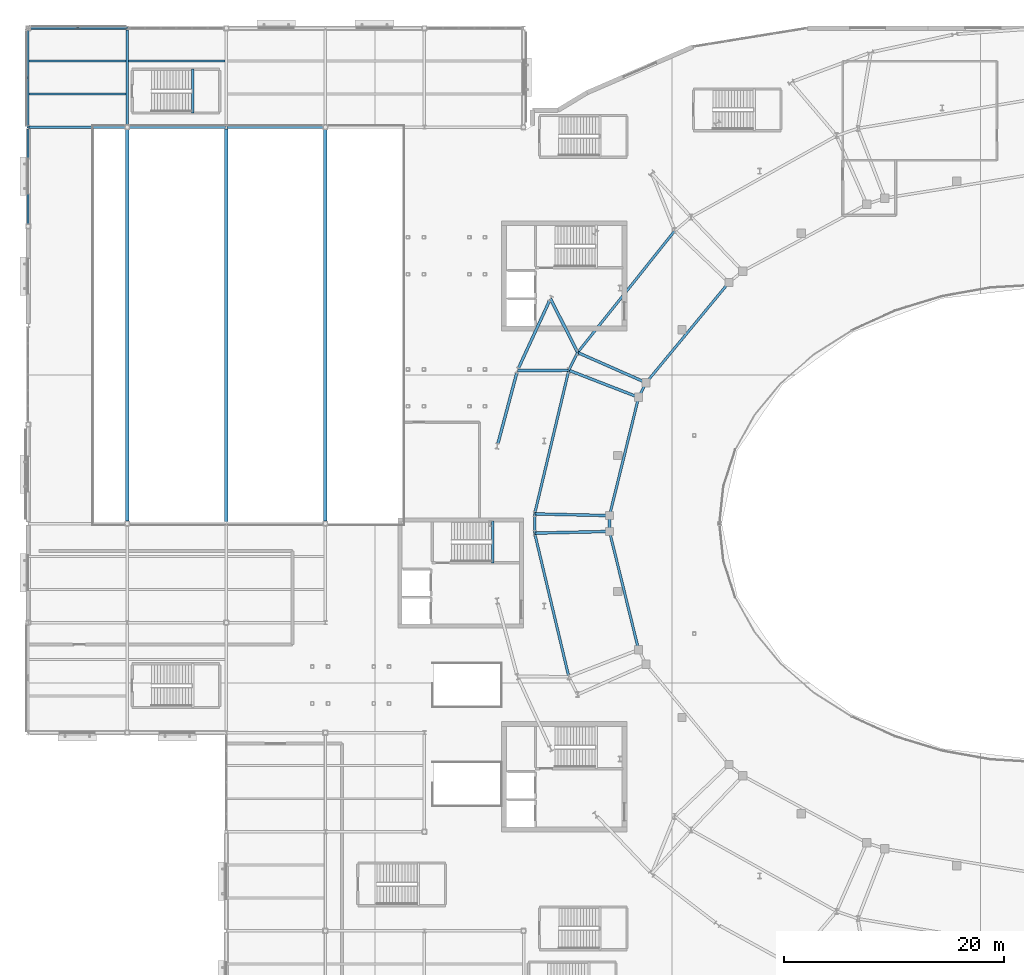
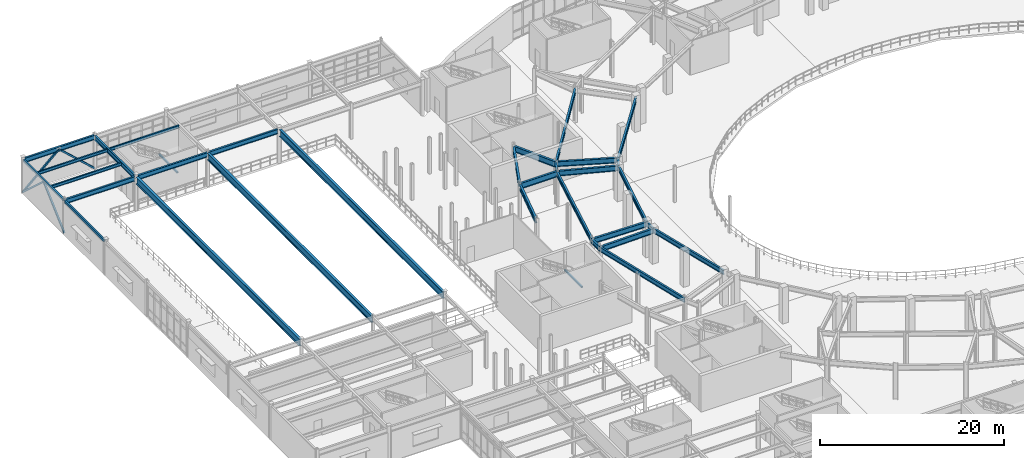
# One storey, part 39 of 86: 33 beams, 4 members.
"""IFC4 building model written with IfcOpenShell, lengths in metres."""

from ifc_helpers import new_model, si_unit, direction, frame, origin, origin_2d, place, context, subcontext, project, spatial, hollow_rectangle, i_section, extrude, material, material_profile, profile_set, type_object, element, save


model = new_model("IFC4")

# Units and contexts
model_context = context("Model", 3, precision=1e-05, world=origin(), true_north=direction((0.0, 1.0)))
body_context = subcontext(model_context, "Body", "Model", "MODEL_VIEW")
ifc_project = project(units=[si_unit("LENGTHUNIT", "METRE"), si_unit("AREAUNIT", "SQUARE_METRE"), si_unit("VOLUMEUNIT", "CUBIC_METRE"), si_unit("PLANEANGLEUNIT", "RADIAN"), si_unit("MASSUNIT", "GRAM", prefix="KILO")], contexts=[model_context])

# Site, building, storey
site_placement = place(None, origin())
site = spatial("IfcSite", under=ifc_project, at=site_placement, CompositionType="ELEMENT")
building_placement = place(site_placement, origin())
building = spatial("IfcBuilding", under=site, at=building_placement, Name="Glasvene Arena", CompositionType="ELEMENT")
storey_placement = place(building_placement, frame((0.0, 0.0, 5.39990234375)))
storey = spatial("IfcBuildingStorey", under=building, at=storey_placement, Name="L01", CompositionType="ELEMENT", Elevation=5.39990234375)

# Beams
ifc_material = material(Name="Steel S355J2", Category="steel")
ifc_material_profile_1 = material_profile(ifc_material, i_section(OverallWidth=0.228271484375, OverallDepth=0.607666015625, WebThickness=0.010986328125, FlangeThickness=0.017333984375, FilletRadius=0.0126953125, at=origin_2d()), Name="UKB 610x229x113")
ifc_profile_set_1 = profile_set([ifc_material_profile_1], Name="Steel S355J2")
beam_type_1 = type_object("IfcBeamType", Name="BM-GIRD-610", PredefinedType="BEAM", material=ifc_profile_set_1)
for number, where, z_axis, x_axis, name in (
    (1, (0.050048828125, 109.0, 4.21630859375), (1.0, 0.0, 0.0), (0.0, 1.0, 0.0), "Primary X girder L01-0581"),
    (2, (9.223388671875, 109.0, 4.21630859375), (1.0, 0.0, 0.0), (0.0, 1.0, 0.0), "Primary X girder L01-0582"),
    (3, (18.050048828125, 109.0, 4.21630859375), (1.0, 0.0, 0.0), (0.0, 1.0, 0.0), "Primary X girder L01-0583"),
    (4, (0.223388671875, 118.0, 4.21630859375), (1.0, 0.0, 0.0), (0.0, 1.0, 0.0), "Primary X girder L01-0590"),
):
    element("IfcBeam", number, at=place(storey_placement, frame(where, z_axis=z_axis, x_axis=x_axis)), inside=storey, type_object=beam_type_1, Name=name, PredefinedType="BEAM", context=body_context, shape_type="SweptSolid", body=[
        extrude(i_section(OverallWidth=0.228271484375, OverallDepth=0.607666015625, WebThickness=0.010986328125, FlangeThickness=0.017333984375, FilletRadius=0.0126953125, at=origin_2d()), origin(), (0.0, 0.0, 1.0), 8.7265625),
    ])
beam_1_placement = place(storey_placement, frame((9.0, 109.223388671875, 4.21630859375), z_axis=(0.0, 1.0, 0.0), x_axis=(-1.0, 0.0, 0.0)))
element("IfcBeam", 5, at=beam_1_placement, inside=storey, type_object=beam_type_1, Name="Primary Y girder L01-0615", PredefinedType="BEAM", context=body_context, shape_type="SweptSolid", body=[
    extrude(i_section(OverallWidth=0.228271484375, OverallDepth=0.607666015625, WebThickness=0.010986328125, FlangeThickness=0.017333984375, FilletRadius=0.0126953125, at=origin_2d()), origin(), (0.0, 0.0, 1.0), 8.621337890625),
])
beam_2_placement = place(storey_placement, frame((58.743408203125, 99.59912109375, 4.215087890625), z_axis=(-0.623899670594, -0.781504447226, 0.0), x_axis=(0.781504447226, -0.623899670594, 0.0)))
element("IfcBeam", 6, at=beam_2_placement, inside=storey, type_object=beam_type_1, Name="Concourse inner ring girder L01-13", PredefinedType="BEAM", context=body_context, shape_type="SweptSolid", body=[
    extrude(i_section(OverallWidth=0.228271484375, OverallDepth=0.607666015625, WebThickness=0.010986328125, FlangeThickness=0.017333984375, FilletRadius=0.0126953125, at=origin_2d()), origin(), (0.0, 0.0, 1.0), 14.1552734375),
])
beam_3_placement = place(storey_placement, frame((63.65966796875, 94.90087890625, 4.215087890625), z_axis=(-0.636971685607, -0.770887197802, 0.0), x_axis=(0.770887197802, -0.636971685607, 0.0)))
element("IfcBeam", 7, at=beam_3_placement, inside=storey, type_object=beam_type_1, Name="Mid-bowl ring girder L01-13", PredefinedType="BEAM", context=body_context, shape_type="SweptSolid", body=[
    extrude(i_section(OverallWidth=0.228271484375, OverallDepth=0.607666015625, WebThickness=0.010986328125, FlangeThickness=0.017333984375, FilletRadius=0.0126953125, at=origin_2d()), origin(), (0.0, 0.0, 1.0), 11.8154296875),
])
beam_4_placement = place(storey_placement, frame((49.911865234375, 88.53662109375, 4.215087890625), z_axis=(-0.443576698242, -0.896236415672, 0.0), x_axis=(0.896236415672, -0.443576698242, 0.0)))
element("IfcBeam", 8, at=beam_4_placement, inside=storey, type_object=beam_type_1, Name="Concourse inner ring girder L01-14", PredefinedType="BEAM", context=body_context, shape_type="SweptSolid", body=[
    extrude(i_section(OverallWidth=0.228271484375, OverallDepth=0.607666015625, WebThickness=0.010986328125, FlangeThickness=0.017333984375, FilletRadius=0.0126953125, at=origin_2d()), origin(), (0.0, 0.0, 1.0), 1.80078125),
])
beam_5_placement = place(storey_placement, frame((56.133544921875, 85.79248046875, 4.215087890625), z_axis=(-0.455825325707, -0.890069251488, 0.0), x_axis=(0.890069251488, -0.455825325707, 0.0)))
element("IfcBeam", 9, at=beam_5_placement, inside=storey, type_object=beam_type_1, Name="Mid-bowl ring girder L01-14", PredefinedType="BEAM", context=body_context, shape_type="SweptSolid", body=[
    extrude(i_section(OverallWidth=0.228271484375, OverallDepth=0.607666015625, WebThickness=0.010986328125, FlangeThickness=0.017333984375, FilletRadius=0.0126953125, at=origin_2d()), origin(), (0.0, 0.0, 1.0), 1.4931640625),
])
beam_6_placement = place(storey_placement, frame((49.113037109375, 86.922607421875, 4.215087890625), z_axis=(-0.23122513322, -0.972900271234, 0.0), x_axis=(0.972900271234, -0.23122513322, 0.0)))
element("IfcBeam", 10, at=beam_6_placement, inside=storey, type_object=beam_type_1, Name="Concourse inner ring girder L01-15", PredefinedType="BEAM", context=body_context, shape_type="SweptSolid", body=[
    extrude(i_section(OverallWidth=0.228271484375, OverallDepth=0.607666015625, WebThickness=0.010986328125, FlangeThickness=0.017333984375, FilletRadius=0.0126953125, at=origin_2d()), origin(), (0.0, 0.0, 1.0), 13.41259765625),
])
beam_7_placement = place(storey_placement, frame((55.452880859375, 84.46337890625, 4.215087890625), z_axis=(-0.23885804662, -0.971054495672, 0.0), x_axis=(0.971054495672, -0.23885804662, 0.0)))
element("IfcBeam", 11, at=beam_7_placement, inside=storey, type_object=beam_type_1, Name="Mid-bowl ring girder L01-15", PredefinedType="BEAM", context=body_context, shape_type="SweptSolid", body=[
    extrude(i_section(OverallWidth=0.228271484375, OverallDepth=0.607666015625, WebThickness=0.010986328125, FlangeThickness=0.017333984375, FilletRadius=0.0126953125, at=origin_2d()), origin(), (0.0, 0.0, 1.0), 11.064453125),
])
beam_8_placement = place(storey_placement, frame((46.01171875, 73.87353515625, 4.215087890625), z_axis=(0.0, -1.0, 0.0), x_axis=(1.0, 0.0, 0.0)))
element("IfcBeam", 12, at=beam_8_placement, inside=storey, type_object=beam_type_1, Name="Concourse inner ring girder L01-16", PredefinedType="BEAM", context=body_context, shape_type="SweptSolid", body=[
    extrude(i_section(OverallWidth=0.228271484375, OverallDepth=0.607666015625, WebThickness=0.010986328125, FlangeThickness=0.017333984375, FilletRadius=0.0126953125, at=origin_2d()), origin(), (0.0, 0.0, 1.0), 1.7470703125),
])
beam_9_placement = place(storey_placement, frame((52.81005859375, 73.71923828125, 4.215087890625), z_axis=(0.0, -1.0, 0.0), x_axis=(1.0, 0.0, 0.0)))
element("IfcBeam", 13, at=beam_9_placement, inside=storey, type_object=beam_type_1, Name="Mid-bowl ring girder L01-16", PredefinedType="BEAM", context=body_context, shape_type="SweptSolid", body=[
    extrude(i_section(OverallWidth=0.228271484375, OverallDepth=0.607666015625, WebThickness=0.010986328125, FlangeThickness=0.017333984375, FilletRadius=0.0126953125, at=origin_2d()), origin(), (0.0, 0.0, 1.0), 1.4384765625),
])
beam_10_placement = place(storey_placement, frame((46.01171875, 72.12646484375, 4.215087890625), z_axis=(0.23122513322, -0.972900271234, 0.0), x_axis=(0.972900271234, 0.23122513322, 0.0)))
element("IfcBeam", 14, at=beam_10_placement, inside=storey, type_object=beam_type_1, Name="Concourse inner ring girder L01-17", PredefinedType="BEAM", context=body_context, shape_type="SweptSolid", body=[
    extrude(i_section(OverallWidth=0.228271484375, OverallDepth=0.607666015625, WebThickness=0.010986328125, FlangeThickness=0.017333984375, FilletRadius=0.0126953125, at=origin_2d()), origin(), (0.0, 0.0, 1.0), 13.41259765625),
])
beam_11_placement = place(storey_placement, frame((52.81005859375, 72.28076171875, 4.215087890625), z_axis=(0.23885804662, -0.971054495672, 0.0), x_axis=(0.971054495672, 0.23885804662, 0.0)))
element("IfcBeam", 15, at=beam_11_placement, inside=storey, type_object=beam_type_1, Name="Mid-bowl ring girder L01-17", PredefinedType="BEAM", context=body_context, shape_type="SweptSolid", body=[
    extrude(i_section(OverallWidth=0.228271484375, OverallDepth=0.607666015625, WebThickness=0.010986328125, FlangeThickness=0.017333984375, FilletRadius=0.0126953125, at=origin_2d()), origin(), (0.0, 0.0, 1.0), 11.064453125),
])
ifc_material_profile_2 = material_profile(ifc_material, i_section(OverallWidth=0.253662109375, OverallDepth=0.68359375, WebThickness=0.012451171875, FlangeThickness=0.01904296875, FilletRadius=0.01513671875, at=origin_2d()), Name="UKB 686x254x140")
ifc_profile_set_2 = profile_set([ifc_material_profile_2], Name="Steel S355J2")
beam_type_2 = type_object("IfcBeamType", Name="BM-GIRD-686", PredefinedType="BEAM", material=ifc_profile_set_2)
beam_12_placement = place(storey_placement, frame((47.349365234375, 93.211669921875, 4.178466796875), z_axis=(-0.418069169042, -0.908415196866, 0.0), x_axis=(0.908415196866, -0.418069169042, 0.0)))
element("IfcBeam", 16, at=beam_12_placement, inside=storey, type_object=beam_type_2, Name="Bowl ring chord beam L01-18", PredefinedType="BEAM", context=body_context, shape_type="SweptSolid", body=[
    extrude(i_section(OverallWidth=0.253662109375, OverallDepth=0.68359375, WebThickness=0.012451171875, FlangeThickness=0.01904296875, FilletRadius=0.01513671875, at=origin_2d()), origin(), (0.0, 0.0, 1.0), 6.70166015625),
])
beam_13_placement = place(storey_placement, frame((44.38525390625, 86.673828125, 4.178466796875), z_axis=(-0.257729153992, -0.966217202901, 0.0), x_axis=(0.966217202901, -0.257729153992, 0.0)))
element("IfcBeam", 17, at=beam_13_placement, inside=storey, type_object=beam_type_2, Name="Bowl ring chord beam L01-19", PredefinedType="BEAM", context=body_context, shape_type="SweptSolid", body=[
    extrude(i_section(OverallWidth=0.253662109375, OverallDepth=0.68359375, WebThickness=0.012451171875, FlangeThickness=0.01904296875, FilletRadius=0.01513671875, at=origin_2d()), origin(), (0.0, 0.0, 1.0), 6.626220703125),
])
for number, where, z_axis, x_axis, name in (
    (18, (56.133544921875, 85.79248046875, 4.17822265625), (-0.914956794247, 0.40355181162, 0.0), (-0.40355181162, -0.914956794247, 0.0), "Mid-to-rear radial girder L01-14"),
    (19, (55.452880859375, 84.46337890625, 4.17822265625), (-0.932315610983, 0.361645685052, 0.0), (-0.361645685052, -0.932315610983, 0.0), "Mid-to-rear radial girder L01-15"),
    (20, (52.81005859375, 73.71923828125, 4.17822265625), (-0.9997425394, 0.022690414598, 0.0), (-0.022690414598, -0.9997425394, 0.0), "Mid-to-rear radial girder L01-16"),
    (21, (52.81005859375, 72.28076171875, 4.17822265625), (-0.9997425394, -0.022690414598, 0.0), (0.022690414598, -0.9997425394, 0.0), "Mid-to-rear radial girder L01-17"),
):
    element("IfcBeam", number, at=place(storey_placement, frame(where, z_axis=z_axis, x_axis=x_axis)), inside=storey, type_object=beam_type_2, Name=name, PredefinedType="BEAM", context=body_context, shape_type="SweptSolid", body=[
        extrude(i_section(OverallWidth=0.253662109375, OverallDepth=0.68359375, WebThickness=0.012451171875, FlangeThickness=0.01904296875, FilletRadius=0.01513671875, at=origin_2d()), origin(), (0.0, 0.0, 1.0), 6.800048828125),
    ])
ifc_material_profile_3 = material_profile(ifc_material, i_section(OverallWidth=0.2666015625, OverallDepth=0.76220703125, WebThickness=0.014404296875, FlangeThickness=0.021484375, FilletRadius=0.0166015625, at=origin_2d()), Name="UKB 762x267x173")
ifc_profile_set_3 = profile_set([ifc_material_profile_3], Name="Steel S355J2")
beam_type_3 = type_object("IfcBeamType", Name="BM-GIRD-762", PredefinedType="BEAM", material=ifc_profile_set_3)
beam_14_placement = place(storey_placement, frame((49.911865234375, 88.53662109375, 4.138916015625), z_axis=(-0.449494152887, 0.893283273391, 0.0), x_axis=(-0.893283273391, -0.449494152887, 0.0)))
element("IfcBeam", 22, at=beam_14_placement, inside=storey, type_object=beam_type_3, Name="Radial concourse girder L01-14", PredefinedType="BEAM", context=body_context, shape_type="SweptSolid", body=[
    extrude(i_section(OverallWidth=0.2666015625, OverallDepth=0.76220703125, WebThickness=0.014404296875, FlangeThickness=0.021484375, FilletRadius=0.0166015625, at=origin_2d()), origin(), (0.0, 0.0, 1.0), 5.4775390625),
])
beam_15_placement = place(storey_placement, frame((49.113037109375, 86.922607421875, 4.138916015625), z_axis=(-0.999993482259, -0.003610462575, 0.0), x_axis=(0.003610462575, -0.999993482259, 0.0)))
element("IfcBeam", 23, at=beam_15_placement, inside=storey, type_object=beam_type_3, Name="Radial concourse girder L01-15", PredefinedType="BEAM", context=body_context, shape_type="SweptSolid", body=[
    extrude(i_section(OverallWidth=0.2666015625, OverallDepth=0.76220703125, WebThickness=0.014404296875, FlangeThickness=0.021484375, FilletRadius=0.0166015625, at=origin_2d()), origin(), (0.0, 0.0, 1.0), 4.665771484375),
])
ifc_material_profile_4 = material_profile(ifc_material, i_section(OverallWidth=0.30419921875, OverallDepth=0.910400390625, WebThickness=0.015869140625, FlangeThickness=0.02392578125, FilletRadius=0.01904296875, at=origin_2d()), Name="UKB 914x305x224")
ifc_profile_set_4 = profile_set([ifc_material_profile_4], Name="Steel S355J2")
beam_type_4 = type_object("IfcBeamType", Name="BM-GIRD-914", PredefinedType="BEAM", material=ifc_profile_set_4)
beam_16_placement = place(storey_placement, frame((9.0, 73.223388671875, 4.06494140625), z_axis=(0.0, 1.0, 0.0), x_axis=(-1.0, 0.0, 0.0)))
element("IfcBeam", 24, at=beam_16_placement, inside=storey, type_object=beam_type_4, Name="Primary Y girder L01-0614", PredefinedType="BEAM", context=body_context, shape_type="SweptSolid", body=[
    extrude(i_section(OverallWidth=0.30419921875, OverallDepth=0.910400390625, WebThickness=0.015869140625, FlangeThickness=0.02392578125, FilletRadius=0.01904296875, at=origin_2d()), origin(), (0.0, 0.0, 1.0), 35.55322265625),
])
beam_17_placement = place(storey_placement, frame((18.0, 73.1552734375, 4.06494140625), z_axis=(0.0, 1.0, 0.0), x_axis=(-1.0, 0.0, 0.0)))
element("IfcBeam", 25, at=beam_17_placement, inside=storey, type_object=beam_type_4, Name="Primary Y girder L01-0624", PredefinedType="BEAM", context=body_context, shape_type="SweptSolid", body=[
    extrude(i_section(OverallWidth=0.30419921875, OverallDepth=0.910400390625, WebThickness=0.015869140625, FlangeThickness=0.02392578125, FilletRadius=0.01904296875, at=origin_2d()), origin(), (0.0, 0.0, 1.0), 35.689453125),
])
beam_18_placement = place(storey_placement, frame((27.0, 73.223388671875, 4.06494140625), z_axis=(0.0, 1.0, 0.0), x_axis=(-1.0, 0.0, 0.0)))
element("IfcBeam", 26, at=beam_18_placement, inside=storey, type_object=beam_type_4, Name="Primary Y girder L01-0633", PredefinedType="BEAM", context=body_context, shape_type="SweptSolid", body=[
    extrude(i_section(OverallWidth=0.30419921875, OverallDepth=0.910400390625, WebThickness=0.015869140625, FlangeThickness=0.02392578125, FilletRadius=0.01904296875, at=origin_2d()), origin(), (0.0, 0.0, 1.0), 35.55322265625),
])
ifc_material_profile_5 = material_profile(ifc_material, i_section(OverallWidth=0.177978515625, OverallDepth=0.406494140625, WebThickness=0.0078125, FlangeThickness=0.0126953125, FilletRadius=0.01025390625, at=origin_2d()), Name="UKB 406x178x60")
ifc_profile_set_5 = profile_set([ifc_material_profile_5], Name="Steel S355J2")
beam_type_5 = type_object("IfcBeamType", Name="BM-JOIST-406", PredefinedType="JOIST", material=ifc_profile_set_5)
for number, where, z_axis, x_axis, name in (
    (27, (0.095947265625, 112.0, 4.31689453125), (1.0, 0.0, 0.0), (0.0, 1.0, 0.0), "Composite floor joist L01-0687"),
    (28, (0.095947265625, 115.0, 4.31689453125), (1.0, 0.0, 0.0), (0.0, 1.0, 0.0), "Composite floor joist L01-0688"),
):
    element("IfcBeam", number, at=place(storey_placement, frame(where, z_axis=z_axis, x_axis=x_axis)), inside=storey, type_object=beam_type_5, Name=name, PredefinedType="JOIST", context=body_context, shape_type="SweptSolid", body=[
        extrude(i_section(OverallWidth=0.177978515625, OverallDepth=0.406494140625, WebThickness=0.0078125, FlangeThickness=0.0126953125, FilletRadius=0.01025390625, at=origin_2d()), origin(), (0.0, 0.0, 1.0), 8.7939453125),
    ])
beam_19_placement = place(storey_placement, frame((9.110107421875, 115.0, 4.31689453125), z_axis=(1.0, 0.0, 0.0), x_axis=(0.0, 1.0, 0.0)))
element("IfcBeam", 29, at=beam_19_placement, inside=storey, type_object=beam_type_5, Name="Composite floor joist L01-0696", PredefinedType="JOIST", context=body_context, shape_type="SweptSolid", body=[
    extrude(i_section(OverallWidth=0.177978515625, OverallDepth=0.406494140625, WebThickness=0.0078125, FlangeThickness=0.0126953125, FilletRadius=0.01025390625, at=origin_2d()), origin(), (0.0, 0.0, 1.0), 8.77978515625),
])
ifc_material_profile_6 = material_profile(ifc_material, hollow_rectangle(XDim=0.199951171875, YDim=0.199951171875, WallThickness=0.010009765625, at=origin_2d()), Name="SHS 200x200x10.0")
ifc_profile_set_6 = profile_set([ifc_material_profile_6], Name="Steel S355J2")
beam_type_6 = type_object("IfcBeamType", Name="BM-LINTEL-200", PredefinedType="LINTEL", material=ifc_profile_set_6)
beam_20_placement = place(storey_placement, frame((42.2099609375, 69.429931640625, 2.080078125), z_axis=(0.0, 1.0, 0.0), x_axis=(-1.0, 0.0, 0.0)))
element("IfcBeam", 30, at=beam_20_placement, inside=storey, type_object=beam_type_6, Name="Stair half-landing support beam ST-07-L01", PredefinedType="LINTEL", context=body_context, shape_type="SweptSolid", body=[
    extrude(hollow_rectangle(XDim=0.199951171875, YDim=0.199951171875, WallThickness=0.010009765625, at=origin_2d()), origin(), (0.0, 0.0, 1.0), 3.7900390625),
])
beam_21_placement = place(storey_placement, frame((14.9599609375, 110.280029296875, 2.080078125), z_axis=(0.0, 1.0, 0.0), x_axis=(-1.0, 0.0, 0.0)))
element("IfcBeam", 31, at=beam_21_placement, inside=storey, type_object=beam_type_6, Name="Stair half-landing support beam ST-14-L01", PredefinedType="LINTEL", context=body_context, shape_type="SweptSolid", body=[
    extrude(hollow_rectangle(XDim=0.199951171875, YDim=0.199951171875, WallThickness=0.010009765625, at=origin_2d()), origin(), (0.0, 0.0, 1.0), 3.989990234375),
])
ifc_material_profile_7 = material_profile(ifc_material, hollow_rectangle(XDim=0.199951171875, YDim=0.300048828125, WallThickness=0.012451171875, at=origin_2d()), Name="RHS 300x200x12.5")
ifc_profile_set_7 = profile_set([ifc_material_profile_7], Name="Steel S355J2")
beam_type_7 = type_object("IfcBeamType", Name="BM-SPAND-300", PredefinedType="SPANDREL", material=ifc_profile_set_7)
for number, where, z_axis, x_axis, name in (
    (32, (0.0, 100.223388671875, 4.3701171875), (0.0, 1.0, 0.0), (-1.0, 0.0, 0.0), "Primary Y girder L01-0607"),
    (33, (0.0, 109.1552734375, 4.3701171875), (0.0, 1.0, 0.0), (-1.0, 0.0, 0.0), "Primary Y girder L01-0608"),
):
    element("IfcBeam", number, at=place(storey_placement, frame(where, z_axis=z_axis, x_axis=x_axis)), inside=storey, type_object=beam_type_7, Name=name, PredefinedType="SPANDREL", context=body_context, shape_type="SweptSolid", body=[
        extrude(hollow_rectangle(XDim=0.199951171875, YDim=0.300048828125, WallThickness=0.012451171875, at=origin_2d()), origin(), (0.0, 0.0, 1.0), 8.621337890625),
    ])

# Members
ifc_material_profile_8 = material_profile(ifc_material, hollow_rectangle(XDim=0.199951171875, YDim=0.199951171875, WallThickness=0.010009765625, at=origin_2d()), Name="SHS 200x200x10.0")
ifc_profile_set_8 = profile_set([ifc_material_profile_8], Name="Steel S355J2")
member_type = type_object("IfcMemberType", Name="MB-BRACE-SHS200", PredefinedType="BRACE", material=ifc_profile_set_8)
for number, where, z_axis, x_axis, name in (
    (34, (0.0, 109.0, 0.050048828125), (0.0, 0.737552649854, 0.675289633189), (-1.0, 0.0, 0.0), "Perimeter lateral chevron brace L01-019-A"),
    (35, (0.0, 118.0, 0.050048828125), (0.0, -0.737552649854, 0.675289633189), (1.0, 0.0, 0.0), "Perimeter lateral chevron brace L01-020-B"),
    (36, (0.0, 118.0, 0.050048828125), (0.737552649854, 0.0, 0.675289633189), (0.0, 1.0, 0.0), "Perimeter lateral chevron brace L01-027-A"),
    (37, (9.0, 118.0, 0.050048828125), (-0.737552649854, 0.0, 0.675289633189), (0.0, -1.0, 0.0), "Perimeter lateral chevron brace L01-028-B"),
):
    element("IfcMember", number, at=place(storey_placement, frame(where, z_axis=z_axis, x_axis=x_axis)), inside=storey, type_object=member_type, Name=name, PredefinedType="BRACE", context=body_context, shape_type="SweptSolid", body=[
        extrude(hollow_rectangle(XDim=0.199951171875, YDim=0.199951171875, WallThickness=0.010009765625, at=origin_2d()), origin(), (0.0, 0.0, 1.0), 6.101318359375),
    ])

save(model, "model.ifc")
